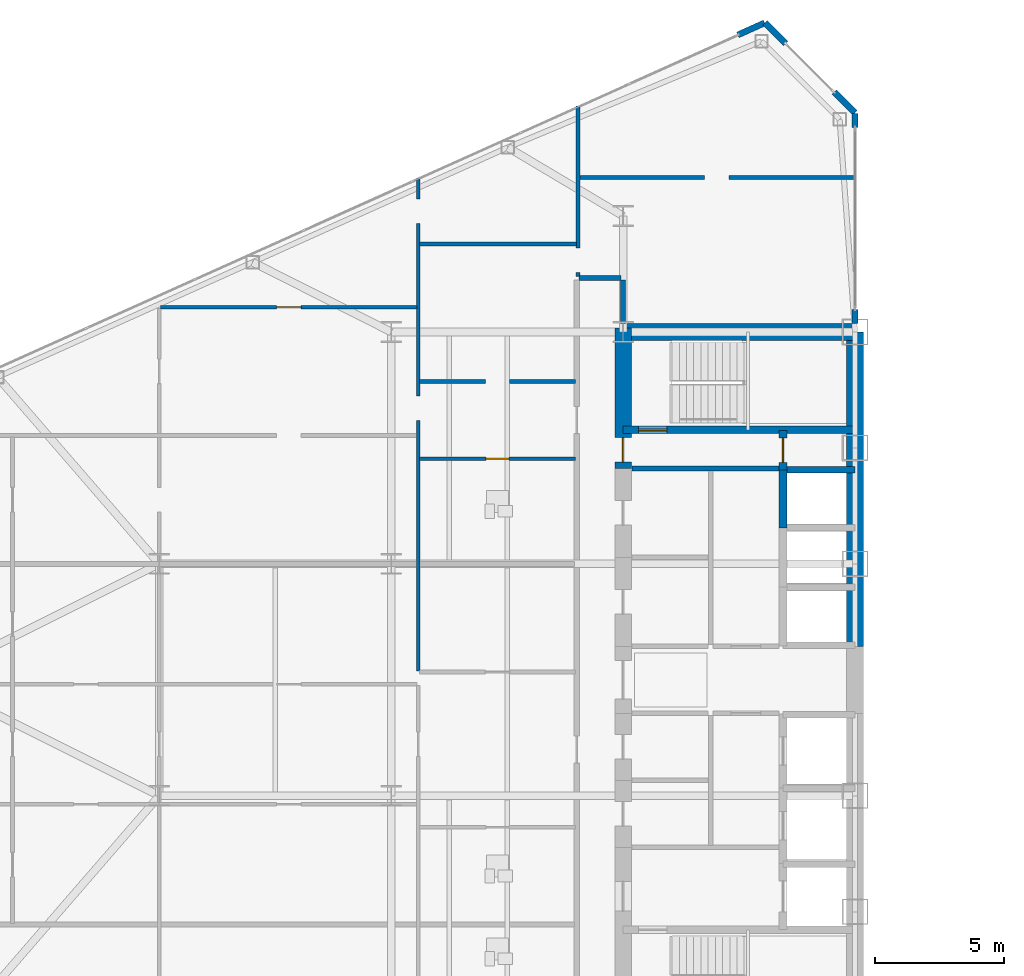
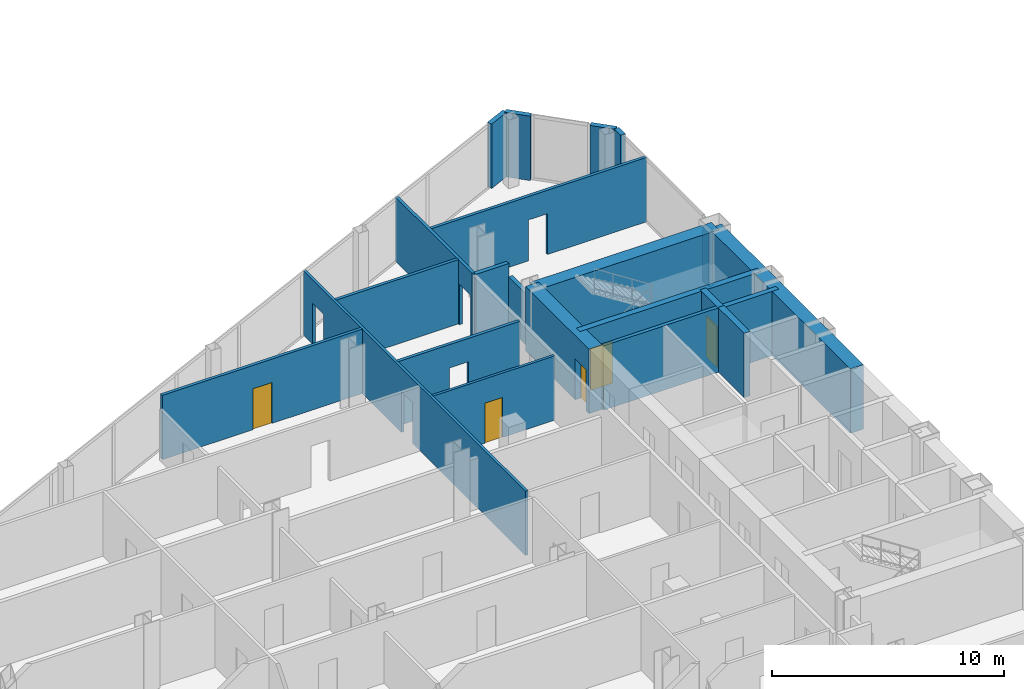
# One storey, part 21 of 27: 22 walls, 5 doors, 10 openings.
"""IFC4 building model written with IfcOpenShell, lengths in metres."""

from ifc_helpers import new_model, si_unit, direction, frame, frame_2d, origin, place, context, subcontext, project, spatial, rectangle, extrude, source, transform, mapped, material, layer, layer_set, type_object, type_shapes, element, fill, save


model = new_model("IFC4")

# Units and contexts
model_context = context("Model", 3, precision=1e-05, world=origin(), true_north=direction((0.0, 1.0)))
body_context = subcontext(model_context, "Body", "Model", "MODEL_VIEW")
ifc_project = project(units=[si_unit("LENGTHUNIT", "METRE"), si_unit("AREAUNIT", "SQUARE_METRE"), si_unit("VOLUMEUNIT", "CUBIC_METRE"), si_unit("PLANEANGLEUNIT", "RADIAN"), si_unit("MASSUNIT", "GRAM", prefix="KILO")], contexts=[model_context])

# Site, building, storey
site_placement = place(None, origin())
site = spatial("IfcSite", under=ifc_project, at=site_placement, CompositionType="ELEMENT")
building_placement = place(site_placement, origin())
building = spatial("IfcBuilding", under=site, at=building_placement, Name="Seokmaru Belvedere", CompositionType="ELEMENT")
storey_placement = place(building_placement, frame((0.0, 0.0, 69.300048828125)))
storey = spatial("IfcBuildingStorey", under=building, at=storey_placement, Name="L18", CompositionType="ELEMENT", Elevation=69.300048828125)

# Wall, opening
ifc_material_1 = material(Name="Fire-Rated Gypsum Shaftwall")
ifc_layer_1 = layer(ifc_material_1, 0.14990234375)
ifc_layer_set_1 = layer_set([ifc_layer_1], Name="Fire-Rated Gypsum Shaftwall")
wall_type_1 = type_object("IfcWallType", Name="Apartment Fire-Acoustic Room Partition 150", PredefinedType="PARTITIONING", material=ifc_layer_set_1)
wall_1_placement = place(storey_placement, frame((-44.39990234375, 11.580078125, 0.0), z_axis=(0.0, 0.0, 1.0), x_axis=(1.0, 0.0, 0.0)))
wall_1 = element("IfcWall", 1, at=wall_1_placement, inside=storey, type_object=wall_type_1, Name="L18 Interior Partition 023", PredefinedType="PARTITIONING", context=body_context, shape_type="SweptSolid", body=[
    extrude(rectangle(XDim=6.0498046875, YDim=0.14990234375, at=frame_2d((3.02490234375, 0.0))), origin(), (0.0, 0.0, 1.0), 3.3798828125),
])
opening_1_placement = place(wall_1_placement, frame((2.550048828125, 0.0, 0.0)))
element("IfcOpeningElement", 2, at=opening_1_placement, cuts=wall_1, Name="L18 Cased Opening 023", PredefinedType="OPENING", context=body_context, shape_type="SweptSolid", body=[
    extrude(rectangle(XDim=0.949951171875, YDim=2.14990234375, at=frame_2d((0.47509765625, 1.074951171875))), frame((0.0, 0.0849609375, 0.0), z_axis=(0.0, -1.0, 0.0), x_axis=(1.0, 0.0, 0.0)), (0.0, 0.0, 1.0), 0.169921875),
])

# Wall, opening, door
wall_2_placement = place(storey_placement, frame((-54.449951171875, 14.4599609375, 0.0), z_axis=(0.0, 0.0, 1.0), x_axis=(1.0, 0.0, 0.0)))
wall_2 = element("IfcWall", 3, at=wall_2_placement, inside=storey, type_object=wall_type_1, Name="L18 Interior Partition 025", PredefinedType="PARTITIONING", context=body_context, shape_type="SweptSolid", body=[
    extrude(rectangle(XDim=9.949951171875, YDim=0.14990234375, at=frame_2d((4.97509765625, 0.0))), origin(), (0.0, 0.0, 1.0), 3.3798828125),
])
opening_2_placement = place(wall_2_placement, frame((4.5, 0.0, 0.0)))
opening_2 = element("IfcOpeningElement", 4, at=opening_2_placement, cuts=wall_2, Name="Opening D05", PredefinedType="OPENING", context=body_context, shape_type="SweptSolid", body=[
    extrude(rectangle(XDim=0.949951171875, YDim=2.14990234375, at=frame_2d((0.47509765625, 1.074951171875))), frame((0.0, 0.0849609375, 0.0), z_axis=(0.0, -1.0, 0.0), x_axis=(1.0, 0.0, 0.0)), (0.0, 0.0, 1.0), 0.169921875),
])
ifc_material_2 = material(Name="Engineered White Oak Timber", Category="wood")
door_type_1 = type_object("IfcDoorType", Name="Apartment Interior Fire-Rated Oak Door 950x2150", OperationType="NOTDEFINED", PredefinedType="DOOR", material=ifc_material_2)
shared_shape_1 = source(origin(), body_context, "Body", "SweptSolid", [
    extrude(rectangle(XDim=0.949951171875, YDim=2.14990234375, at=frame_2d((0.47509765625, 1.074951171875))), frame((0.0, 0.02490234375, 0.0), z_axis=(0.0, -1.0, 0.0), x_axis=(1.0, 0.0, 0.0)), (0.0, 0.0, 1.0), 0.050048828125),
])
type_shapes(door_type_1, [shared_shape_1])
door_1_placement = place(opening_2_placement, origin())
door_1 = element("IfcDoor", 5, at=door_1_placement, inside=storey, type_object=door_type_1, Name="L18 Interior Door 027", OperationType="SINGLE_SWING_RIGHT", OverallHeight=2.14990234375, OverallWidth=0.949951171875, PredefinedType="DOOR", context=body_context, shape_type="MappedRepresentation", body=[
    mapped(shared_shape_1, transform((0.0, 0.0, 0.0), scale=1.0)),
])
fill(opening_2, door_1)

# Wall
wall_3_placement = place(storey_placement, frame((-44.39990234375, 16.909912109375, 0.0), z_axis=(0.0, 0.0, 1.0), x_axis=(1.0, 0.0, 0.0)))
element("IfcWall", 6, at=wall_3_placement, inside=storey, type_object=wall_type_1, Name="L18 Interior Partition 030", PredefinedType="PARTITIONING", context=body_context, shape_type="SweptSolid", body=[
    extrude(rectangle(XDim=6.099853515625, YDim=0.14990234375, at=frame_2d((3.0498046875, 0.0))), origin(), (0.0, 0.0, 1.0), 3.3798828125),
])

# Wall, opening
wall_4_placement = place(storey_placement, frame((-38.199951171875, 19.5, 0.0), z_axis=(0.0, 0.0, 1.0), x_axis=(1.0, 0.0, 0.0)))
wall_4 = element("IfcWall", 7, at=wall_4_placement, inside=storey, type_object=wall_type_1, Name="L18 Interior Partition 031", PredefinedType="PARTITIONING", context=body_context, shape_type="SweptSolid", body=[
    extrude(rectangle(XDim=10.73486328125, YDim=0.14990234375, at=frame_2d((5.367431640625, 0.0))), origin(), (0.0, 0.0, 1.0), 3.3798828125),
])
opening_3_placement = place(wall_4_placement, frame((4.85009765625, 0.0, 0.0)))
element("IfcOpeningElement", 8, at=opening_3_placement, cuts=wall_4, Name="L18 Cased Opening 032", PredefinedType="OPENING", context=body_context, shape_type="SweptSolid", body=[
    extrude(rectangle(XDim=0.949951171875, YDim=2.14990234375, at=frame_2d((0.47509765625, 1.074951171875))), frame((0.0, 0.0849609375, 0.0), z_axis=(0.0, -1.0, 0.0), x_axis=(1.0, 0.0, 0.0)), (0.0, 0.0, 1.0), 0.169921875),
])

wall_5_placement = place(storey_placement, frame((-38.25, 15.64990234375, 0.0), z_axis=(0.0, 0.0, 1.0), x_axis=(0.0, 1.0, 0.0)))
wall_5 = element("IfcWall", 9, at=wall_5_placement, inside=storey, type_object=wall_type_1, Name="L18 Interior Partition 040", PredefinedType="PARTITIONING", context=body_context, shape_type="SweptSolid", body=[
    extrude(rectangle(XDim=6.623046875, YDim=0.14990234375, at=frame_2d((3.3115234375, 0.0))), origin(), (0.0, 0.0, 1.0), 3.3798828125),
])
opening_4_placement = place(wall_5_placement, frame((0.159912109375, 0.0, 0.0)))
element("IfcOpeningElement", 10, at=opening_4_placement, cuts=wall_5, Name="L18 Cased Opening 031", PredefinedType="OPENING", context=body_context, shape_type="SweptSolid", body=[
    extrude(rectangle(XDim=0.949951171875, YDim=2.14990234375, at=frame_2d((0.47509765625, 1.074951171875))), frame((0.0, 0.0849609375, 0.0), z_axis=(0.0, -1.0, 0.0), x_axis=(1.0, 0.0, 0.0)), (0.0, 0.0, 1.0), 0.169921875),
])

# Walls
ifc_layer_2 = layer(ifc_material_1, 0.179931640625)
ifc_layer_set_2 = layer_set([ifc_layer_2], Name="Fire-Rated Gypsum Shaftwall")
wall_type_2 = type_object("IfcWallType", Name="Core Service Fire Partition 180", PredefinedType="PARTITIONING", material=ifc_layer_set_2)
wall_6_placement = place(storey_placement, frame((-36.14990234375, 8.199951171875, 0.0), z_axis=(0.0, 0.0, 1.0), x_axis=(1.0, 0.0, 0.0)))
element("IfcWall", 11, at=wall_6_placement, inside=storey, type_object=wall_type_2, Name="L18 West Smokeproof Vestibule Partition", PredefinedType="PARTITIONING", context=body_context, shape_type="SweptSolid", body=[
    extrude(rectangle(XDim=5.699951171875, YDim=0.179931640625, at=frame_2d((2.85009765625, 0.0))), origin(), (0.0, 0.0, 1.0), 3.3798828125),
])
ifc_material_3 = material(Name="Concrete C50 (50 MPa)", Category="concrete")
ifc_layer_3 = layer(ifc_material_3, 0.25)
ifc_layer_set_3 = layer_set([ifc_layer_3], Name="Concrete C50 (50 MPa)")
wall_type_3 = type_object("IfcWallType", Name="Hoistway Transverse Concrete Divider Wall 250", PredefinedType="SHEAR", material=ifc_layer_set_3)
wall_7_placement = place(storey_placement, frame((-30.300048828125, 8.14990234375, 0.0), z_axis=(0.0, 0.0, 1.0), x_axis=(1.0, 0.0, 0.0)))
element("IfcWall", 12, at=wall_7_placement, inside=storey, type_object=wall_type_3, Name="L18 West Hoistway Divider Core Wall 7", PredefinedType="SHEAR", context=body_context, shape_type="SweptSolid", body=[
    extrude(rectangle(XDim=2.800048828125, YDim=0.25, at=frame_2d((1.39990234375, 0.0))), origin(), (0.0, 0.0, 1.0), 3.3798828125),
])
ifc_layer_4 = layer(ifc_material_1, 0.199951171875)
ifc_layer_set_4 = layer_set([ifc_layer_4], Name="Fire-Rated Gypsum Shaftwall")
wall_type_4 = type_object("IfcWallType", Name="Inter-Tenancy Fire Compartment Partition 200", PredefinedType="PARTITIONING", material=ifc_layer_set_4)
wall_8_placement = place(storey_placement, frame((-38.215087890625, 15.60009765625, 0.0), z_axis=(0.0, 0.0, 1.0), x_axis=(1.0, 0.0, 0.0)))
element("IfcWall", 13, at=wall_8_placement, inside=storey, type_object=wall_type_4, Name="L18 Interior Partition 027", PredefinedType="PARTITIONING", context=body_context, shape_type="SweptSolid", body=[
    extrude(rectangle(XDim=1.630126953125, YDim=0.199951171875, at=frame_2d((0.81494140625, 0.0))), origin(), (0.0, 0.0, 1.0), 3.3798828125),
])
wall_9_placement = place(storey_placement, frame((-36.5, 13.830078125, 0.0), z_axis=(0.0, 0.0, 1.0), x_axis=(0.0, 1.0, 0.0)))
element("IfcWall", 14, at=wall_9_placement, inside=storey, type_object=wall_type_4, Name="L18 Interior Partition 042", PredefinedType="PARTITIONING", context=body_context, shape_type="SweptSolid", body=[
    extrude(rectangle(XDim=1.684814453125, YDim=0.199951171875, at=frame_2d((0.84228515625, 0.0))), origin(), (0.0, 0.0, 1.0), 2.679931640625),
])

# Wall, opening, door
ifc_layer_5 = layer(ifc_material_3, 0.300048828125)
ifc_layer_set_5 = layer_set([ifc_layer_5], Name="Concrete C50 (50 MPa)")
wall_type_5 = type_object("IfcWallType", Name="Internal Core Stair and Hoistway Wall 300", PredefinedType="SHEAR", material=ifc_layer_set_5)
wall_10_placement = place(storey_placement, frame((-36.5, 9.699951171875, 0.0), z_axis=(0.0, 0.0, 1.0), x_axis=(1.0, 0.0, 0.0)))
wall_10 = element("IfcWall", 15, at=wall_10_placement, inside=storey, type_object=wall_type_5, Name="L18 West Stair ST-2 Enclosure Wall", PredefinedType="SHEAR", context=body_context, shape_type="SweptSolid", body=[
    extrude(rectangle(XDim=9.0, YDim=0.300048828125, at=frame_2d((4.5, 0.0))), origin(), (0.0, 0.0, 1.0), 3.3798828125),
])
opening_5_placement = place(wall_10_placement, frame((0.60009765625, 0.0, 0.0)))
opening_5 = element("IfcOpeningElement", 16, at=opening_5_placement, cuts=wall_10, Name="Opening D01", PredefinedType="OPENING", context=body_context, shape_type="SweptSolid", body=[
    extrude(rectangle(XDim=1.10009765625, YDim=2.199951171875, at=frame_2d((0.550048828125, 1.10009765625))), frame((0.0, 0.16015625, 0.0), z_axis=(0.0, -1.0, 0.0), x_axis=(1.0, 0.0, 0.0)), (0.0, 0.0, 1.0), 0.320068359375),
])
ifc_material_4 = material(Name="Fire-Rated Steel Leaf", Category="steel")
door_type_2 = type_object("IfcDoorType", Name="Special Escape Stair Smokeproof Fire Door 1100x2200", OperationType="NOTDEFINED", PredefinedType="DOOR", material=ifc_material_4)
shared_shape_2 = source(origin(), body_context, "Body", "SweptSolid", [
    extrude(rectangle(XDim=1.10009765625, YDim=2.199951171875, at=frame_2d((0.550048828125, 1.10009765625))), frame((0.0, 0.02490234375, 0.0), z_axis=(0.0, -1.0, 0.0), x_axis=(1.0, 0.0, 0.0)), (0.0, 0.0, 1.0), 0.050048828125),
])
type_shapes(door_type_2, [shared_shape_2])
door_2_placement = place(opening_5_placement, origin())
door_2 = element("IfcDoor", 17, at=door_2_placement, inside=storey, type_object=door_type_2, Name="L18 West Special Escape Stair ST-2 Door", OperationType="SINGLE_SWING_RIGHT", OverallHeight=2.199951171875, OverallWidth=1.10009765625, PredefinedType="DOOR", context=body_context, shape_type="MappedRepresentation", body=[
    mapped(shared_shape_2, transform((0.0, 0.0, 0.0), scale=1.0)),
])
fill(opening_5, door_2)

# Wall
wall_11_placement = place(storey_placement, frame((-30.300048828125, 5.89990234375, 0.0), z_axis=(0.0, 0.0, 1.0), x_axis=(0.0, 1.0, 0.0)))
element("IfcWall", 18, at=wall_11_placement, inside=storey, type_object=wall_type_5, Name="L18 West North Hoistway Wall OBS", PredefinedType="SHEAR", context=body_context, shape_type="SweptSolid", body=[
    extrude(rectangle(XDim=2.25, YDim=0.300048828125, at=frame_2d((1.125, 0.0))), origin(), (0.0, 0.0, 1.0), 3.3798828125),
])

# Wall, opening, door
wall_12_placement = place(storey_placement, frame((-30.300048828125, 8.14990234375, 0.0), z_axis=(0.0, 0.0, 1.0), x_axis=(0.0, 1.0, 0.0)))
wall_12 = element("IfcWall", 19, at=wall_12_placement, inside=storey, type_object=wall_type_5, Name="L18 West Electrical Riser Front Wall", PredefinedType="SHEAR", context=body_context, shape_type="SweptSolid", body=[
    extrude(rectangle(XDim=1.530029296875, YDim=0.300048828125, at=frame_2d((0.76513671875, 0.0))), origin(), (0.0, 0.0, 1.0), 3.3798828125),
])
opening_6_placement = place(wall_12_placement, frame((0.284912109375, 0.0, 0.0)))
opening_6 = element("IfcOpeningElement", 20, at=opening_6_placement, cuts=wall_12, Name="Opening D04", PredefinedType="OPENING", context=body_context, shape_type="SweptSolid", body=[
    extrude(rectangle(XDim=0.949951171875, YDim=2.14990234375, at=frame_2d((0.47509765625, 1.074951171875))), frame((0.0, 0.16015625, 0.0), z_axis=(0.0, -1.0, 0.0), x_axis=(1.0, 0.0, 0.0)), (0.0, 0.0, 1.0), 0.320068359375),
])
door_type_3 = type_object("IfcDoorType", Name="Core Service Room Fire Door 950x2150", OperationType="NOTDEFINED", PredefinedType="DOOR", material=ifc_material_4)
shared_shape_3 = source(origin(), body_context, "Body", "SweptSolid", [
    extrude(rectangle(XDim=0.949951171875, YDim=2.14990234375, at=frame_2d((0.47509765625, 1.074951171875))), frame((0.0, 0.02490234375, 0.0), z_axis=(0.0, -1.0, 0.0), x_axis=(1.0, 0.0, 0.0)), (0.0, 0.0, 1.0), 0.050048828125),
])
type_shapes(door_type_3, [shared_shape_3])
door_3_placement = place(opening_6_placement, origin())
door_3 = element("IfcDoor", 21, at=door_3_placement, inside=storey, type_object=door_type_3, Name="L18 West Electrical Riser Access Door", OperationType="SINGLE_SWING_LEFT", OverallHeight=2.14990234375, OverallWidth=0.949951171875, PredefinedType="DOOR", context=body_context, shape_type="MappedRepresentation", body=[
    mapped(shared_shape_3, transform((0.0, 0.0, 0.0), scale=1.0)),
])
fill(opening_6, door_3)

# Walls
ifc_material_5 = material(Name="Concrete C60 (60 MPa)", Category="concrete")
ifc_layer_6 = layer(ifc_material_5, 0.64990234375)
ifc_layer_set_6 = layer_set([ifc_layer_6], Name="Concrete C60 (60 MPa)")
wall_type_6 = type_object("IfcWallType", Name="Mid-Low Reinforced Concrete Core Wall 650", PredefinedType="SHEAR", material=ifc_layer_set_6)
wall_13_placement = place(storey_placement, frame((-27.5, 1.300048828125, 0.0), z_axis=(0.0, 0.0, 1.0), x_axis=(0.0, 1.0, 0.0)))
element("IfcWall", 22, at=wall_13_placement, inside=storey, type_object=wall_type_6, Name="L18 West Portal Spine Core Wall North", PredefinedType="SHEAR", context=body_context, shape_type="SweptSolid", body=[
    extrude(rectangle(XDim=12.199951171875, YDim=0.64990234375, at=frame_2d((6.10009765625, 0.0))), origin(), (0.0, 0.0, 1.0), 3.3798828125),
])
wall_14_placement = place(storey_placement, frame((-36.5, 13.5, 0.0), z_axis=(0.0, 0.0, 1.0), x_axis=(1.0, 0.0, 0.0)))
element("IfcWall", 23, at=wall_14_placement, inside=storey, type_object=wall_type_6, Name="L18 West North Core Wall", PredefinedType="SHEAR", context=body_context, shape_type="SweptSolid", body=[
    extrude(rectangle(XDim=9.0, YDim=0.64990234375, at=frame_2d((4.5, 0.0))), origin(), (0.0, 0.0, 1.0), 3.3798828125),
])

# Wall, opening, door
wall_15_placement = place(storey_placement, frame((-36.5, 8.199951171875, 0.0), z_axis=(0.0, 0.0, 1.0), x_axis=(0.0, 1.0, 0.0)))
wall_15 = element("IfcWall", 24, at=wall_15_placement, inside=storey, type_object=wall_type_6, Name="L18 West West Core Wall VST", PredefinedType="SHEAR", context=body_context, shape_type="SweptSolid", body=[
    extrude(rectangle(XDim=5.449951171875, YDim=0.64990234375, at=frame_2d((2.72509765625, 0.0))), origin(), (0.0, 0.0, 1.0), 3.3798828125),
])
opening_7_placement = place(wall_15_placement, frame((0.2451171875, 0.0, 0.0)))
opening_7 = element("IfcOpeningElement", 25, at=opening_7_placement, cuts=wall_15, Name="Opening D04", PredefinedType="OPENING", context=body_context, shape_type="SweptSolid", body=[
    extrude(rectangle(XDim=0.949951171875, YDim=2.14990234375, at=frame_2d((0.47509765625, 1.074951171875))), frame((0.0, 0.3349609375, 0.0), z_axis=(0.0, -1.0, 0.0), x_axis=(1.0, 0.0, 0.0)), (0.0, 0.0, 1.0), 0.669921875),
])
door_4_placement = place(opening_7_placement, frame((0.949951171875, 0.0, 0.0), z_axis=(0.0, 0.0, 1.0), x_axis=(-1.0, 0.0, 0.0)))
door_4 = element("IfcDoor", 26, at=door_4_placement, inside=storey, type_object=door_type_3, Name="L18 West Smokeproof Vestibule Door", OperationType="SINGLE_SWING_RIGHT", OverallHeight=2.14990234375, OverallWidth=0.949951171875, PredefinedType="DOOR", context=body_context, shape_type="MappedRepresentation", body=[
    mapped(shared_shape_3, transform((0.0, 0.0, 0.0), scale=1.0)),
])
fill(opening_7, door_4)

ifc_layer_7 = layer(ifc_material_1, 0.1298828125)
ifc_layer_set_7 = layer_set([ifc_layer_7], Name="Fire-Rated Gypsum Shaftwall")
wall_type_7 = type_object("IfcWallType", Name="Moisture-Resistant Fire-Rated Bathroom Partition 130", PredefinedType="PARTITIONING", material=ifc_layer_set_7)
wall_16_placement = place(storey_placement, frame((-44.39990234375, 8.580078125, 0.0), z_axis=(0.0, 0.0, 1.0), x_axis=(1.0, 0.0, 0.0)))
wall_16 = element("IfcWall", 27, at=wall_16_placement, inside=storey, type_object=wall_type_7, Name="L18 Interior Partition 019", PredefinedType="PARTITIONING", context=body_context, shape_type="SweptSolid", body=[
    extrude(rectangle(XDim=6.0498046875, YDim=0.1298828125, at=frame_2d((3.02490234375, 0.0))), origin(), (0.0, 0.0, 1.0), 3.3798828125),
])
opening_8_placement = place(wall_16_placement, frame((2.5849609375, 0.0, 0.0)))
opening_8 = element("IfcOpeningElement", 28, at=opening_8_placement, cuts=wall_16, Name="Opening D06", PredefinedType="OPENING", context=body_context, shape_type="SweptSolid", body=[
    extrude(rectangle(XDim=0.8798828125, YDim=2.10009765625, at=frame_2d((0.43994140625, 1.050048828125))), frame((0.0, 0.074951171875, 0.0), z_axis=(0.0, -1.0, 0.0), x_axis=(1.0, 0.0, 0.0)), (0.0, 0.0, 1.0), 0.14990234375),
])
door_type_4 = type_object("IfcDoorType", Name="Bathroom and Restroom Fire-Rated Door 880x2100", OperationType="NOTDEFINED", PredefinedType="DOOR", material=ifc_material_2)
shared_shape_4 = source(origin(), body_context, "Body", "SweptSolid", [
    extrude(rectangle(XDim=0.8798828125, YDim=2.10009765625, at=frame_2d((0.43994140625, 1.050048828125))), frame((0.0, 0.02490234375, 0.0), z_axis=(0.0, -1.0, 0.0), x_axis=(1.0, 0.0, 0.0)), (0.0, 0.0, 1.0), 0.050048828125),
])
type_shapes(door_type_4, [shared_shape_4])
door_5_placement = place(opening_8_placement, origin())
door_5 = element("IfcDoor", 29, at=door_5_placement, inside=storey, type_object=door_type_4, Name="L18 Interior Door 022", OperationType="SINGLE_SWING_LEFT", OverallHeight=2.10009765625, OverallWidth=0.8798828125, PredefinedType="DOOR", context=body_context, shape_type="MappedRepresentation", body=[
    mapped(shared_shape_4, transform((0.0, 0.0, 0.0), scale=1.0)),
])
fill(opening_8, door_5)

# Wall, openings
wall_17_placement = place(storey_placement, frame((-44.449951171875, 0.35205078125, 0.0), z_axis=(0.0, 0.0, 1.0), x_axis=(0.0, 1.0, 0.0)))
wall_17 = element("IfcWall", 30, at=wall_17_placement, inside=storey, type_object=wall_type_7, Name="L18 Interior Partition 037", PredefinedType="PARTITIONING", context=body_context, shape_type="SweptSolid", body=[
    extrude(rectangle(XDim=19.130859375, YDim=0.1298828125, at=frame_2d((9.5654296875, 0.0))), origin(), (0.0, 0.0, 1.0), 3.3798828125),
])
opening_9_placement = place(wall_17_placement, frame((9.702880859375, 0.0, 0.0)))
element("IfcOpeningElement", 31, at=opening_9_placement, cuts=wall_17, Name="L18 Cased Opening 024", PredefinedType="OPENING", context=body_context, shape_type="SweptSolid", body=[
    extrude(rectangle(XDim=0.949951171875, YDim=2.14990234375, at=frame_2d((0.47509765625, 1.074951171875))), frame((0.0, 0.074951171875, 0.0), z_axis=(0.0, -1.0, 0.0), x_axis=(1.0, 0.0, 0.0)), (0.0, 0.0, 1.0), 0.14990234375),
])
opening_10_placement = place(wall_17_placement, frame((17.3505859375, 0.0, 0.0)))
element("IfcOpeningElement", 32, at=opening_10_placement, cuts=wall_17, Name="L18 Cased Opening 030", PredefinedType="OPENING", context=body_context, shape_type="SweptSolid", body=[
    extrude(rectangle(XDim=0.949951171875, YDim=2.14990234375, at=frame_2d((0.47509765625, 1.074951171875))), frame((0.0, 0.074951171875, 0.0), z_axis=(0.0, -1.0, 0.0), x_axis=(1.0, 0.0, 0.0)), (0.0, 0.0, 1.0), 0.14990234375),
])

# Walls
ifc_material_6 = material(Name="Anodised Bronze Aluminium", Category="aluminium")
ifc_layer_8 = layer(ifc_material_6, 0.239990234375)
ifc_layer_set_8 = layer_set([ifc_layer_8], Name="Anodised Bronze Aluminium")
wall_type_8 = type_object("IfcWallType", Name="Tower Corner Spandrel Closure Wall 240", PredefinedType="SOLIDWALL", material=ifc_layer_set_8)
wall_18_placement = place(storey_placement, frame((-27.5, 13.830078125, 0.0), z_axis=(0.0, 0.0, 1.0), x_axis=(0.0, 1.0, 0.0)))
element("IfcWall", 33, at=wall_18_placement, inside=storey, type_object=wall_type_8, Name="L18 W Spine Closure Pier 2A", PredefinedType="SOLIDWALL", context=body_context, shape_type="SweptSolid", body=[
    extrude(rectangle(XDim=0.5498046875, YDim=0.239990234375, at=frame_2d((0.27490234375, 0.0))), origin(), (0.0, 0.0, 1.0), 2.8798828125),
])
wall_19_placement = place(storey_placement, frame((-27.5, 21.429931640625, 0.0), z_axis=(0.0, 0.0, 1.0), x_axis=(0.0, 1.0, 0.0)))
element("IfcWall", 34, at=wall_19_placement, inside=storey, type_object=wall_type_8, Name="L18 W Spine Closure Pier 2B", PredefinedType="SOLIDWALL", context=body_context, shape_type="SweptSolid", body=[
    extrude(rectangle(XDim=0.550048828125, YDim=0.239990234375, at=frame_2d((0.27490234375, 0.0))), origin(), (0.0, 0.0, 1.0), 3.3798828125),
])
for number, where, z_axis, x_axis, name in (
    (35, (-27.507080078125, 22.007080078125, 0.0), (0.0, 0.0, 1.0), (-0.707106781187, 0.707106781187, 0.0), "L18 W Corner Closure Pier 2A"),
    (36, (-30.186767578125, 24.686767578125, 0.0), (0.0, 0.0, 1.0), (-0.707106781187, 0.707106781187, 0.0), "L18 W Corner Closure Pier 2B"),
):
    element("IfcWall", number, at=place(storey_placement, frame(where, z_axis=z_axis, x_axis=x_axis)), inside=storey, type_object=wall_type_8, Name=name, PredefinedType="SOLIDWALL", context=body_context, shape_type="SweptSolid", body=[
        extrude(rectangle(XDim=1.14013671875, YDim=0.239990234375, at=frame_2d((0.570068359375, 0.0))), origin(), (0.0, 0.0, 1.0), 3.3798828125),
    ])
wall_20_placement = place(storey_placement, frame((-31.009033203125, 25.495849609375, 0.0), z_axis=(0.0, 0.0, 1.0), x_axis=(-0.911929519623, -0.410346866979, 0.0)))
element("IfcWall", 37, at=wall_20_placement, inside=storey, type_object=wall_type_8, Name="L18 W Corner Closure Pier 3A", PredefinedType="SOLIDWALL", context=body_context, shape_type="SweptSolid", body=[
    extrude(rectangle(XDim=1.139892578125, YDim=0.239990234375, at=frame_2d((0.56982421875, 0.0))), origin(), (0.0, 0.0, 1.0), 3.3798828125),
])

save(model, "model.ifc")
